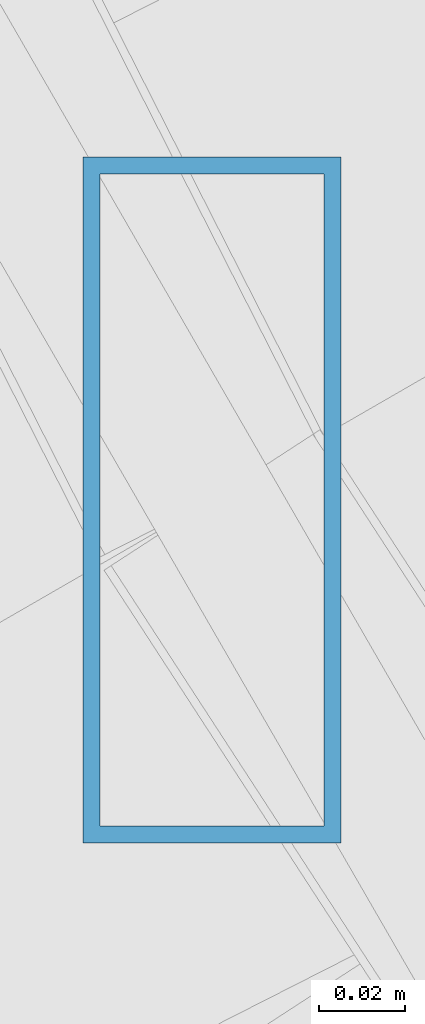
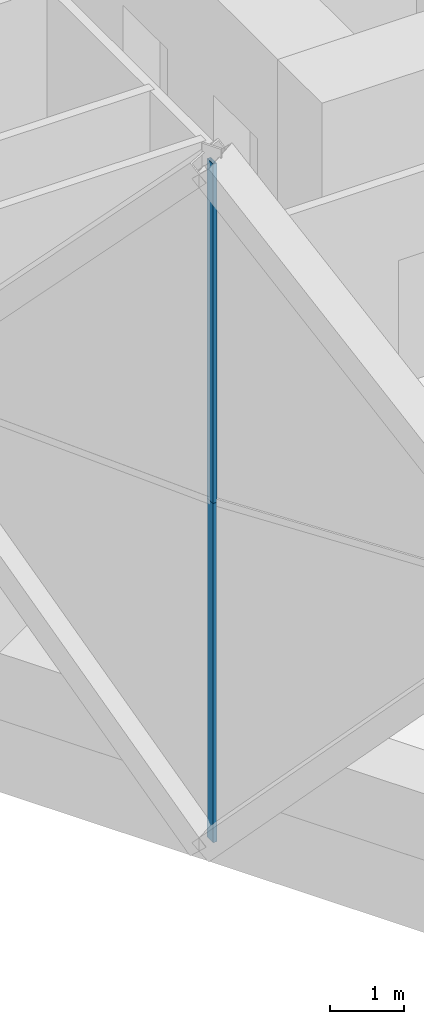
# One storey, part 3 of 22: 2 members, 1 element without a shape of its own.
"""IFC4 building model written with IfcOpenShell, lengths in metres."""

from ifc_helpers import new_model, si_unit, direction, frame, origin, origin_2d, place, context, subcontext, project, spatial, hollow_rectangle, extrude, material, material_profile, profile_set, type_object, element, aggregate, save


model = new_model("IFC4")

# Units and contexts
model_context = context("Model", 3, precision=1e-05, world=origin(), true_north=direction((0.0, 1.0)))
body_context = subcontext(model_context, "Body", "Model", "MODEL_VIEW")
ifc_project = project(units=[si_unit("LENGTHUNIT", "METRE"), si_unit("AREAUNIT", "SQUARE_METRE"), si_unit("VOLUMEUNIT", "CUBIC_METRE"), si_unit("PLANEANGLEUNIT", "RADIAN"), si_unit("MASSUNIT", "GRAM", prefix="KILO")], contexts=[model_context])

# Site, building, storey
site_placement = place(None, origin())
site = spatial("IfcSite", under=ifc_project, at=site_placement, CompositionType="ELEMENT")
building_placement = place(site_placement, origin())
building = spatial("IfcBuilding", under=site, at=building_placement, Name="Ostrander Bayou Hotel Tower", CompositionType="ELEMENT")
storey_placement = place(building_placement, frame((0.0, 0.0, 46.75)))
storey = spatial("IfcBuildingStorey", under=building, at=storey_placement, Name="L11", CompositionType="ELEMENT", Elevation=46.75)

# Curtain wall, members
ifc_material_1 = material(Name="Aluminium and clear glass", Category="aluminium")
curtain_wall_type = type_object("IfcCurtainWallType", Name="CW-LAT lattice glazing", PredefinedType="NOTDEFINED", material=ifc_material_1)
curtain_wall_placement = place(storey_placement, origin())
curtain_wall = element("IfcCurtainWall", 1, at=curtain_wall_placement, inside=storey, type_object=curtain_wall_type, Name="CW-LAT L11 SW 1", PredefinedType="NOTDEFINED")
ifc_material_2 = material(Name="Aluminium", Category="aluminium")
ifc_material_profile = material_profile(ifc_material_2, hollow_rectangle(XDim=0.06005859375, YDim=0.159912109375, WallThickness=0.00390625, at=origin_2d()))
ifc_profile_set = profile_set([ifc_material_profile], Name="Aluminium")
member_type = type_object("IfcMemberType", Name="CW-LA mullion 60 x 160 mm", PredefinedType="MULLION", material=ifc_profile_set)
member_1_placement = place(storey_placement, frame((-19.11328125, -11.034912109375, -0.60009765625), z_axis=(0.0, 0.0, 1.0), x_axis=(1.0, 0.0, 0.0)))
member_1 = element("IfcMember", 2, at=member_1_placement, type_object=member_type, Name="CW-LAT mullion 4", PredefinedType="MULLION", context=body_context, shape_type="SweptSolid", body=[
    extrude(hollow_rectangle(XDim=0.06005859375, YDim=0.159912109375, WallThickness=0.00390625, at=origin_2d()), origin(), (0.0, 0.0, 1.0), 5.625),
])
member_2_placement = place(storey_placement, frame((-19.11328125, -11.034912109375, 5.02490234375), z_axis=(0.0, 0.0, 1.0), x_axis=(1.0, 0.0, 0.0)))
member_2 = element("IfcMember", 3, at=member_2_placement, type_object=member_type, Name="CW-LAT mullion 5", PredefinedType="MULLION", context=body_context, shape_type="SweptSolid", body=[
    extrude(hollow_rectangle(XDim=0.06005859375, YDim=0.159912109375, WallThickness=0.00390625, at=origin_2d()), origin(), (0.0, 0.0, 1.0), 5.625),
])
aggregate(curtain_wall, [member_1, member_2])

save(model, "model.ifc")
